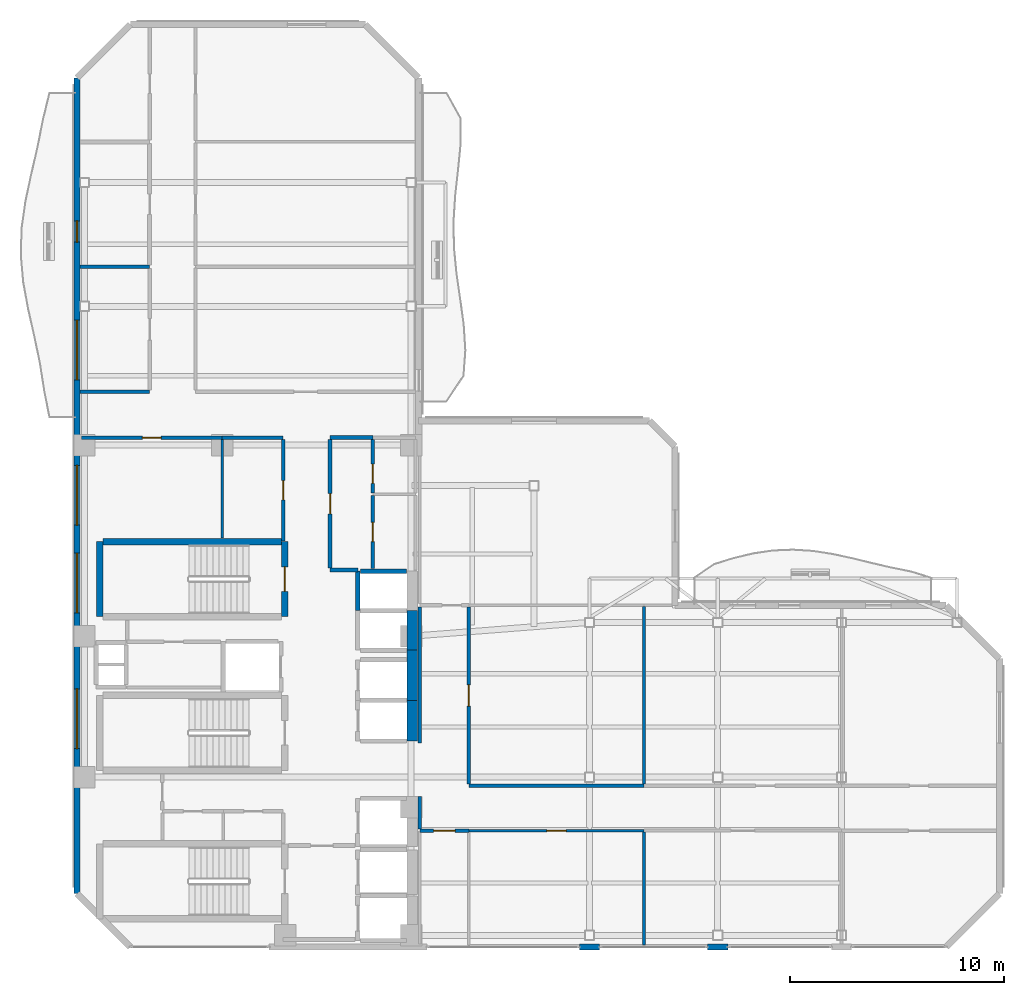
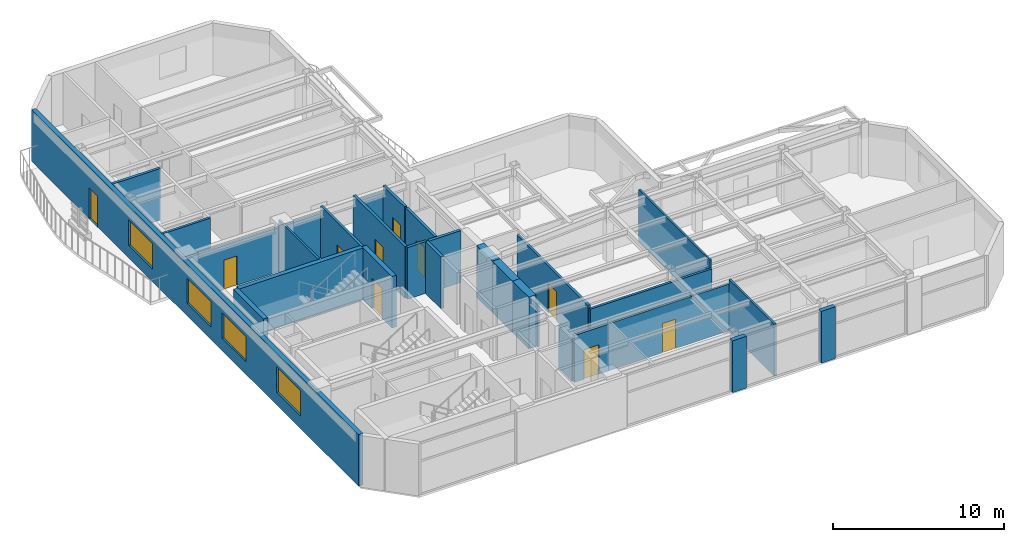
# One storey, part 10 of 17: 30 walls, 10 doors, 4 windows, 14 openings.
"""IFC4 building model written with IfcOpenShell, lengths in metres."""

from ifc_helpers import new_model, si_unit, direction, frame, frame_2d, origin, place, context, subcontext, project, spatial, rectangle, extrude, material, layer, layer_set, type_object, element, fill, save


model = new_model("IFC4")

# Units and contexts
model_context = context("Model", 3, precision=1e-05, world=origin(), true_north=direction((0.0, 1.0)))
body_context = subcontext(model_context, "Body", "Model", "MODEL_VIEW")
ifc_project = project(units=[si_unit("LENGTHUNIT", "METRE"), si_unit("AREAUNIT", "SQUARE_METRE"), si_unit("VOLUMEUNIT", "CUBIC_METRE"), si_unit("PLANEANGLEUNIT", "RADIAN"), si_unit("MASSUNIT", "GRAM", prefix="KILO")], contexts=[model_context])

# Site, building, storey
site_placement = place(None, origin())
site = spatial("IfcSite", under=ifc_project, at=site_placement, CompositionType="ELEMENT")
building_placement = place(site_placement, origin())
building = spatial("IfcBuilding", under=site, at=building_placement, Name="Mawjaban Terraces University", CompositionType="ELEMENT")
storey_placement = place(building_placement, frame((0.0, 0.0, 183.60009765625)))
storey = spatial("IfcBuildingStorey", under=building, at=storey_placement, Name="L44", CompositionType="ELEMENT", Elevation=183.60009765625)

# Walls
ifc_material_1 = material(Name="Acoustic masonry blockwork", Category="masonry")
ifc_layer_1 = layer(ifc_material_1, 0.179931640625)
ifc_layer_set_1 = layer_set([ifc_layer_1], Name="Acoustic masonry blockwork")
wall_type_1 = type_object("IfcWallType", Name="AcousticStudioWall_180", PredefinedType="PARTITIONING", material=ifc_layer_set_1)
wall_1_placement = place(storey_placement, frame((25.39990234375, 31.85009765625, 0.0), z_axis=(0.0, 0.0, 1.0), x_axis=(-1.0, 0.0, 0.0)))
element("IfcWall", 1, at=wall_1_placement, inside=storey, type_object=wall_type_1, Name="L44 Classroom 8 Partition 4", PredefinedType="PARTITIONING", context=body_context, shape_type="SweptSolid", body=[
    extrude(rectangle(XDim=3.2548828125, YDim=0.179931640625, at=frame_2d((1.62744140625, 0.0))), origin(), (0.0, 0.0, 1.0), 3.68994140625),
])
wall_2_placement = place(storey_placement, frame((33.85009765625, 17.64990234375, 0.0), z_axis=(0.0, 0.0, 1.0), x_axis=(1.0, 0.0, 0.0)))
element("IfcWall", 2, at=wall_2_placement, inside=storey, type_object=wall_type_1, Name="L44 Graduate Research Collaboration Studio Partition 11", PredefinedType="PARTITIONING", context=body_context, shape_type="SweptSolid", body=[
    extrude(rectangle(XDim=1.2998046875, YDim=0.179931640625, at=frame_2d((0.64990234375, 0.0))), origin(), (0.0, 0.0, 1.0), 3.68994140625),
])
wall_3_placement = place(storey_placement, frame((35.85009765625, 23.85009765625, 0.0), z_axis=(0.0, 0.0, 1.0), x_axis=(-1.0, 0.0, 0.0)))
element("IfcWall", 3, at=wall_3_placement, inside=storey, type_object=wall_type_1, Name="L44 Graduate Research Collaboration Studio Partition 14", PredefinedType="PARTITIONING", context=body_context, shape_type="SweptSolid", body=[
    extrude(rectangle(XDim=2.0, YDim=0.179931640625, at=frame_2d((1.0, 0.0))), origin(), (0.0, 0.0, 1.0), 3.138916015625),
])

# Wall, opening, door
wall_4_placement = place(storey_placement, frame((33.85009765625, 17.735107421875, 0.0), z_axis=(0.0, 0.0, 1.0), x_axis=(0.0, 1.0, 0.0)))
wall_4 = element("IfcWall", 4, at=wall_4_placement, inside=storey, type_object=wall_type_1, Name="L44 Core North Lift Lobby Partition 42", PredefinedType="PARTITIONING", context=body_context, shape_type="SweptSolid", body=[
    extrude(rectangle(XDim=6.02978515625, YDim=0.179931640625, at=frame_2d((3.014892578125, 0.0))), origin(), (0.0, 0.0, 1.0), 3.68994140625),
])
opening_1_placement = place(wall_4_placement, frame((2.5400390625, 0.0, 0.0)))
opening_1 = element("IfcOpeningElement", 5, at=opening_1_placement, cuts=wall_4, Name="Opening ID-095", PredefinedType="OPENING", context=body_context, shape_type="SweptSolid", body=[
    extrude(rectangle(XDim=0.949951171875, YDim=2.10009765625, at=frame_2d((0.47509765625, 1.050048828125))), frame((0.0, 0.099853515625, 0.0), z_axis=(0.0, -1.0, 0.0), x_axis=(1.0, 0.0, 0.0)), (0.0, 0.0, 1.0), 0.199951171875),
])
ifc_material_2 = material(Name="Powder-coated steel frame and solid acoustic timber leaf", Category="steel")
door_type_1 = type_object("IfcDoorType", Name="StudioDoor_950x2100", OperationType="NOTDEFINED", PredefinedType="DOOR", material=ifc_material_2)
door_1_placement = place(opening_1_placement, origin())
door_1 = element("IfcDoor", 6, at=door_1_placement, inside=storey, type_object=door_type_1, Name="L44 Graduate Research Collaboration Studio Door", OperationType="SINGLE_SWING_LEFT", OverallHeight=2.10009765625, OverallWidth=0.949951171875, PredefinedType="DOOR", context=body_context, shape_type="SweptSolid", body=[
    extrude(rectangle(XDim=0.949951171875, YDim=2.10009765625, at=frame_2d((0.47509765625, 1.050048828125))), frame((0.0, 0.02490234375, 0.0), z_axis=(0.0, -1.0, 0.0), x_axis=(1.0, 0.0, 0.0)), (0.0, 0.0, 1.0), 0.050048828125),
])
fill(opening_1, door_1)

wall_5_placement = place(storey_placement, frame((35.85009765625, 17.72998046875, 0.0), z_axis=(0.0, 0.0, 1.0), x_axis=(0.0, 1.0, 0.0)))
wall_5 = element("IfcWall", 7, at=wall_5_placement, inside=storey, type_object=wall_type_1, Name="L44 Graduate Research Collaboration Studio Partition 43", PredefinedType="PARTITIONING", context=body_context, shape_type="SweptSolid", body=[
    extrude(rectangle(XDim=3.412109375, YDim=0.179931640625, at=frame_2d((1.7060546875, 0.0))), origin(), (0.0, 0.0, 1.0), 3.68994140625),
])
opening_2_placement = place(wall_5_placement, frame((1.256103515625, 0.0, 0.0)))
opening_2 = element("IfcOpeningElement", 8, at=opening_2_placement, cuts=wall_5, Name="Opening ID-090", PredefinedType="OPENING", context=body_context, shape_type="SweptSolid", body=[
    extrude(rectangle(XDim=0.89990234375, YDim=2.10009765625, at=frame_2d((0.449951171875, 1.050048828125))), frame((0.0, 0.099853515625, 0.0), z_axis=(0.0, -1.0, 0.0), x_axis=(1.0, 0.0, 0.0)), (0.0, 0.0, 1.0), 0.199951171875),
])
door_type_2 = type_object("IfcDoorType", Name="OfficeDoor_900x2100", OperationType="NOTDEFINED", PredefinedType="DOOR", material=ifc_material_2)
door_2_placement = place(opening_2_placement, origin())
door_2 = element("IfcDoor", 9, at=door_2_placement, inside=storey, type_object=door_type_2, Name="L44 Research Instrument Store Door", OperationType="SINGLE_SWING_LEFT", OverallHeight=2.10009765625, OverallWidth=0.89990234375, PredefinedType="DOOR", context=body_context, shape_type="SweptSolid", body=[
    extrude(rectangle(XDim=0.89990234375, YDim=2.10009765625, at=frame_2d((0.449951171875, 1.050048828125))), frame((0.0, 0.02490234375, 0.0), z_axis=(0.0, -1.0, 0.0), x_axis=(1.0, 0.0, 0.0)), (0.0, 0.0, 1.0), 0.050048828125),
])
fill(opening_2, door_2)

wall_6_placement = place(storey_placement, frame((35.85009765625, 21.258056640625, 0.0), z_axis=(0.0, 0.0, 1.0), x_axis=(0.0, 1.0, 0.0)))
wall_6 = element("IfcWall", 10, at=wall_6_placement, inside=storey, type_object=wall_type_1, Name="L44 Graduate Research Collaboration Studio Partition 44", PredefinedType="PARTITIONING", context=body_context, shape_type="SweptSolid", body=[
    extrude(rectangle(XDim=2.5068359375, YDim=0.179931640625, at=frame_2d((1.25341796875, 0.0))), origin(), (0.0, 0.0, 1.0), 3.68994140625),
])
opening_3_placement = place(wall_6_placement, frame((0.4541015625, 0.0, 0.0)))
opening_3 = element("IfcOpeningElement", 11, at=opening_3_placement, cuts=wall_6, Name="Opening ID-090", PredefinedType="OPENING", context=body_context, shape_type="SweptSolid", body=[
    extrude(rectangle(XDim=0.89990234375, YDim=2.10009765625, at=frame_2d((0.449951171875, 1.050048828125))), frame((0.0, 0.099853515625, 0.0), z_axis=(0.0, -1.0, 0.0), x_axis=(1.0, 0.0, 0.0)), (0.0, 0.0, 1.0), 0.199951171875),
])
door_3_placement = place(opening_3_placement, origin())
door_3 = element("IfcDoor", 12, at=door_3_placement, inside=storey, type_object=door_type_2, Name="L44 Graduate Quiet Study Alcove Door", OperationType="SINGLE_SWING_RIGHT", OverallHeight=2.10009765625, OverallWidth=0.89990234375, PredefinedType="DOOR", context=body_context, shape_type="SweptSolid", body=[
    extrude(rectangle(XDim=0.89990234375, YDim=2.10009765625, at=frame_2d((0.449951171875, 1.050048828125))), frame((0.0, 0.02490234375, 0.0), z_axis=(0.0, -1.0, 0.0), x_axis=(1.0, 0.0, 0.0)), (0.0, 0.0, 1.0), 0.050048828125),
])
fill(opening_3, door_3)

# Walls
ifc_material_3 = material(Name="Concrete C60/75", Category="concrete")
ifc_layer_2 = layer(ifc_material_3, 0.5)
ifc_layer_set_2 = layer_set([ifc_layer_2], Name="Concrete C60/75")
wall_type_2 = type_object("IfcWallType", Name="CoreShearWall_500", PredefinedType="SHEAR", material=ifc_layer_set_2)
wall_7_placement = place(storey_placement, frame((37.699951171875, 9.64990234375, 0.0), z_axis=(0.0, 0.0, 1.0), x_axis=(0.0, 1.0, 0.0)))
element("IfcWall", 13, at=wall_7_placement, inside=storey, type_object=wall_type_2, Name="L44 Lift PL-H1 Hoistway Wall East", PredefinedType="SHEAR", context=body_context, shape_type="SweptSolid", body=[
    extrude(rectangle(XDim=1.900146484375, YDim=0.5, at=frame_2d((0.9501953125, 0.0))), origin(), (0.0, 0.0, 1.0), 3.68994140625),
])
wall_8_placement = place(storey_placement, frame((37.699951171875, 11.550048828125, 0.0), z_axis=(0.0, 0.0, 1.0), x_axis=(0.0, 1.0, 0.0)))
element("IfcWall", 14, at=wall_8_placement, inside=storey, type_object=wall_type_2, Name="L44 Lift PL-H2 Hoistway Wall East", PredefinedType="SHEAR", context=body_context, shape_type="SweptSolid", body=[
    extrude(rectangle(XDim=2.349853515625, YDim=0.5, at=frame_2d((1.1748046875, 0.0))), origin(), (0.0, 0.0, 1.0), 3.68994140625),
])
wall_9_placement = place(storey_placement, frame((37.699951171875, 13.89990234375, 0.0), z_axis=(0.0, 0.0, 1.0), x_axis=(0.0, 1.0, 0.0)))
element("IfcWall", 15, at=wall_9_placement, inside=storey, type_object=wall_type_2, Name="L44 Lift OL-1 Hoistway Wall East", PredefinedType="SHEAR", context=body_context, shape_type="SweptSolid", body=[
    extrude(rectangle(XDim=1.85009765625, YDim=0.5, at=frame_2d((0.925048828125, 0.0))), origin(), (0.0, 0.0, 1.0), 3.68994140625),
])
ifc_material_4 = material(Name="Fire-rated gypsum board on steel stud", Category="steel")
ifc_layer_3 = layer(ifc_material_4, 0.159912109375)
ifc_layer_set_3 = layer_set([ifc_layer_3], Name="Fire-rated gypsum board on steel stud")
wall_type_3 = type_object("IfcWallType", Name="CorridorPartition_160", PredefinedType="PARTITIONING", material=ifc_layer_set_3)
wall_10_placement = place(storey_placement, frame((25.39990234375, 26.0, 0.0), z_axis=(0.0, 0.0, 1.0), x_axis=(-1.0, 0.0, 0.0)))
element("IfcWall", 16, at=wall_10_placement, inside=storey, type_object=wall_type_3, Name="L44 North Core Cross-Corridor Partition 3", PredefinedType="PARTITIONING", context=body_context, shape_type="SweptSolid", body=[
    extrude(rectangle(XDim=3.2548828125, YDim=0.159912109375, at=frame_2d((1.62744140625, 0.0))), origin(), (0.0, 0.0, 1.0), 3.68994140625),
])

# Wall, opening, door
wall_11_placement = place(storey_placement, frame((28.800048828125, 23.85009765625, 0.0), z_axis=(0.0, 0.0, 1.0), x_axis=(-1.0, 0.0, 0.0)))
wall_11 = element("IfcWall", 17, at=wall_11_placement, inside=storey, type_object=wall_type_3, Name="L44 Female Toilet Partition 7", PredefinedType="PARTITIONING", context=body_context, shape_type="SweptSolid", body=[
    extrude(rectangle(XDim=6.60009765625, YDim=0.159912109375, at=frame_2d((3.300048828125, 0.0))), origin(), (0.0, 0.0, 1.0), 3.138916015625),
])
opening_4_placement = place(wall_11_placement, frame((2.860107421875, 0.0, 0.0)))
opening_4 = element("IfcOpeningElement", 18, at=opening_4_placement, cuts=wall_11, Name="Opening ID-088", PredefinedType="OPENING", context=body_context, shape_type="SweptSolid", body=[
    extrude(rectangle(XDim=0.8798828125, YDim=2.10009765625, at=frame_2d((0.43994140625, 1.050048828125))), frame((0.0, 0.08984375, 0.0), z_axis=(0.0, -1.0, 0.0), x_axis=(1.0, 0.0, 0.0)), (0.0, 0.0, 1.0), 0.179931640625),
])
door_type_3 = type_object("IfcDoorType", Name="ToiletDoor_880x2100", OperationType="NOTDEFINED", PredefinedType="DOOR", material=ifc_material_2)
door_4_placement = place(opening_4_placement, origin())
door_4 = element("IfcDoor", 19, at=door_4_placement, inside=storey, type_object=door_type_3, Name="L44 Female Toilet Door", OperationType="SINGLE_SWING_LEFT", OverallHeight=2.10009765625, OverallWidth=0.8798828125, PredefinedType="DOOR", context=body_context, shape_type="SweptSolid", body=[
    extrude(rectangle(XDim=0.8798828125, YDim=2.10009765625, at=frame_2d((0.43994140625, 1.050048828125))), frame((0.0, 0.02490234375, 0.0), z_axis=(0.0, -1.0, 0.0), x_axis=(1.0, 0.0, 0.0)), (0.0, 0.0, 1.0), 0.050048828125),
])
fill(opening_4, door_4)

# Wall
wall_12_placement = place(storey_placement, frame((31.64990234375, 23.85009765625, 0.0), z_axis=(0.0, 0.0, 1.0), x_axis=(-1.0, 0.0, 0.0)))
element("IfcWall", 20, at=wall_12_placement, inside=storey, type_object=wall_type_3, Name="L44 Faculty Academic Resource Office Partition 10", PredefinedType="PARTITIONING", context=body_context, shape_type="SweptSolid", body=[
    extrude(rectangle(XDim=2.849853515625, YDim=0.159912109375, at=frame_2d((1.4248046875, 0.0))), origin(), (0.0, 0.0, 1.0), 3.138916015625),
])

# Wall, opening, door
wall_13_placement = place(storey_placement, frame((38.050048828125, 5.449951171875, 0.0), z_axis=(0.0, 0.0, 1.0), x_axis=(1.0, 0.0, 0.0)))
wall_13 = element("IfcWall", 21, at=wall_13_placement, inside=storey, type_object=wall_type_3, Name="L44 South Spine Spur Link Partition 19", PredefinedType="PARTITIONING", context=body_context, shape_type="SweptSolid", body=[
    extrude(rectangle(XDim=2.300048828125, YDim=0.159912109375, at=frame_2d((1.14990234375, 0.0))), origin(), (0.0, 0.0, 1.0), 3.343017578125),
])
opening_5_placement = place(wall_13_placement, frame((0.64990234375, 0.0, 0.0)))
opening_5 = element("IfcOpeningElement", 22, at=opening_5_placement, cuts=wall_13, Name="Opening ID-100", PredefinedType="OPENING", context=body_context, shape_type="SweptSolid", body=[
    extrude(rectangle(XDim=1.0, YDim=2.10009765625, at=frame_2d((0.5, 1.050048828125))), frame((0.0, 0.08984375, 0.0), z_axis=(0.0, -1.0, 0.0), x_axis=(1.0, 0.0, 0.0)), (0.0, 0.0, 1.0), 0.179931640625),
])
door_type_4 = type_object("IfcDoorType", Name="ClassroomDoor_1000x2100", OperationType="NOTDEFINED", PredefinedType="DOOR", material=ifc_material_2)
door_5_placement = place(opening_5_placement, origin())
door_5 = element("IfcDoor", 23, at=door_5_placement, inside=storey, type_object=door_type_4, Name="L44 Classroom 1 Door", OperationType="SINGLE_SWING_RIGHT", OverallHeight=2.10009765625, OverallWidth=1.0, PredefinedType="DOOR", context=body_context, shape_type="SweptSolid", body=[
    extrude(rectangle(XDim=1.0, YDim=2.10009765625, at=frame_2d((0.5, 1.050048828125))), frame((0.0, 0.02490234375, 0.0), z_axis=(0.0, -1.0, 0.0), x_axis=(1.0, 0.0, 0.0)), (0.0, 0.0, 1.0), 0.050048828125),
])
fill(opening_5, door_5)

# Wall
wall_14_placement = place(storey_placement, frame((48.550048828125, 7.550048828125, 0.0), z_axis=(0.0, 0.0, 1.0), x_axis=(-1.0, 0.0, 0.0)))
element("IfcWall", 24, at=wall_14_placement, inside=storey, type_object=wall_type_3, Name="L44 South Shifted Academic Corridor Partition 23", PredefinedType="PARTITIONING", context=body_context, shape_type="SweptSolid", body=[
    extrude(rectangle(XDim=8.199951171875, YDim=0.159912109375, at=frame_2d((4.10009765625, 0.0))), origin(), (0.0, 0.0, 1.0), 3.138916015625),
])

# Wall, opening, door
wall_15_placement = place(storey_placement, frame((31.64990234375, 19.010009765625, 0.0), z_axis=(0.0, 0.0, 1.0), x_axis=(0.0, 1.0, 0.0)))
wall_15 = element("IfcWall", 25, at=wall_15_placement, inside=storey, type_object=wall_type_3, Name="L44 Faculty Academic Resource Office Partition 41", PredefinedType="PARTITIONING", context=body_context, shape_type="SweptSolid", body=[
    extrude(rectangle(XDim=4.764892578125, YDim=0.159912109375, at=frame_2d((2.38232421875, 0.0))), origin(), (0.0, 0.0, 1.0), 3.68994140625),
])
opening_6_placement = place(wall_15_placement, frame((1.931884765625, 0.0, 0.0)))
opening_6 = element("IfcOpeningElement", 26, at=opening_6_placement, cuts=wall_15, Name="Opening ID-090", PredefinedType="OPENING", context=body_context, shape_type="SweptSolid", body=[
    extrude(rectangle(XDim=0.89990234375, YDim=2.10009765625, at=frame_2d((0.449951171875, 1.050048828125))), frame((0.0, 0.08984375, 0.0), z_axis=(0.0, -1.0, 0.0), x_axis=(1.0, 0.0, 0.0)), (0.0, 0.0, 1.0), 0.179931640625),
])
door_6_placement = place(opening_6_placement, origin())
door_6 = element("IfcDoor", 27, at=door_6_placement, inside=storey, type_object=door_type_2, Name="L44 Faculty Academic Resource Office Door", OperationType="SINGLE_SWING_RIGHT", OverallHeight=2.10009765625, OverallWidth=0.89990234375, PredefinedType="DOOR", context=body_context, shape_type="SweptSolid", body=[
    extrude(rectangle(XDim=0.89990234375, YDim=2.10009765625, at=frame_2d((0.449951171875, 1.050048828125))), frame((0.0, 0.02490234375, 0.0), z_axis=(0.0, -1.0, 0.0), x_axis=(1.0, 0.0, 0.0)), (0.0, 0.0, 1.0), 0.050048828125),
])
fill(opening_6, door_6)

# Walls
wall_16_placement = place(storey_placement, frame((38.050048828125, 7.050048828125, 0.0), z_axis=(0.0, 0.0, 1.0), x_axis=(0.0, -1.0, 0.0)))
element("IfcWall", 28, at=wall_16_placement, inside=storey, type_object=wall_type_3, Name="L44 South Spine Spur Link Partition 48", PredefinedType="PARTITIONING", context=body_context, shape_type="SweptSolid", body=[
    extrude(rectangle(XDim=1.525146484375, YDim=0.159912109375, at=frame_2d((0.7626953125, 0.0))), origin(), (0.0, 0.0, 1.0), 3.138916015625),
])
wall_17_placement = place(storey_placement, frame((38.050048828125, 15.925048828125, 0.0), z_axis=(0.0, 0.0, 1.0), x_axis=(0.0, -1.0, 0.0)))
element("IfcWall", 29, at=wall_17_placement, inside=storey, type_object=wall_type_3, Name="L44 South Spine Spur Link Partition 49", PredefinedType="PARTITIONING", context=body_context, shape_type="SweptSolid", body=[
    extrude(rectangle(XDim=6.375, YDim=0.159912109375, at=frame_2d((3.1875, 0.0))), origin(), (0.0, 0.0, 1.0), 3.138916015625),
])

# Wall, opening, door
wall_18_placement = place(storey_placement, frame((40.35009765625, 7.625, 0.0), z_axis=(0.0, 0.0, 1.0), x_axis=(0.0, 1.0, 0.0)))
wall_18 = element("IfcWall", 30, at=wall_18_placement, inside=storey, type_object=wall_type_3, Name="L44 South Spine Spur Link Partition 52", PredefinedType="PARTITIONING", context=body_context, shape_type="SweptSolid", body=[
    extrude(rectangle(XDim=8.300048828125, YDim=0.159912109375, at=frame_2d((4.14990234375, 0.0))), origin(), (0.0, 0.0, 1.0), 3.343017578125),
])
opening_7_placement = place(wall_18_placement, frame((3.64990234375, 0.0, 0.0)))
opening_7 = element("IfcOpeningElement", 31, at=opening_7_placement, cuts=wall_18, Name="Opening ID-100", PredefinedType="OPENING", context=body_context, shape_type="SweptSolid", body=[
    extrude(rectangle(XDim=1.0, YDim=2.10009765625, at=frame_2d((0.5, 1.050048828125))), frame((0.0, 0.08984375, 0.0), z_axis=(0.0, -1.0, 0.0), x_axis=(1.0, 0.0, 0.0)), (0.0, 0.0, 1.0), 0.179931640625),
])
door_7_placement = place(opening_7_placement, origin())
door_7 = element("IfcDoor", 32, at=door_7_placement, inside=storey, type_object=door_type_4, Name="L44 Classroom 3 Door", OperationType="SINGLE_SWING_RIGHT", OverallHeight=2.10009765625, OverallWidth=1.0, PredefinedType="DOOR", context=body_context, shape_type="SweptSolid", body=[
    extrude(rectangle(XDim=1.0, YDim=2.10009765625, at=frame_2d((0.5, 1.050048828125))), frame((0.0, 0.02490234375, 0.0), z_axis=(0.0, -1.0, 0.0), x_axis=(1.0, 0.0, 0.0)), (0.0, 0.0, 1.0), 0.050048828125),
])
fill(opening_7, door_7)

# Walls
ifc_material_5 = material(Name="Insulated terracotta rainscreen on concrete backup C40/50", Category="masonry")
ifc_layer_4 = layer(ifc_material_5, 0.300048828125)
ifc_layer_set_4 = layer_set([ifc_layer_4], Name="Insulated terracotta rainscreen on concrete backup C40/50")
wall_type_4 = type_object("IfcWallType", Name="ExtTerracottaWall_300", PredefinedType="SOLIDWALL", material=ifc_layer_set_4)
for number, where, z_axis, x_axis, name in (
    (33, (45.52490234375, 0.0, 0.0), (0.0, 0.0, 1.0), (1.0, 0.0, 0.0), "L44 Exterior Terracotta Pier Wall 1.2"),
    (34, (51.52490234375, 0.0, 0.0), (0.0, 0.0, 1.0), (1.0, 0.0, 0.0), "L44 Exterior Terracotta Pier Wall 1.3"),
):
    element("IfcWall", number, at=place(storey_placement, frame(where, z_axis=z_axis, x_axis=x_axis)), inside=storey, type_object=wall_type_4, Name=name, PredefinedType="SOLIDWALL", context=body_context, shape_type="SweptSolid", body=[
        extrude(rectangle(XDim=0.9501953125, YDim=0.300048828125, at=frame_2d((0.47509765625, 0.0))), origin(), (0.0, 0.0, 1.0), 3.68994140625),
    ])

# Wall, openings, door, windows
wall_19_placement = place(storey_placement, frame((22.0, 40.699951171875, 0.0), z_axis=(0.0, 0.0, 1.0), x_axis=(0.0, -1.0, 0.0)))
wall_19 = element("IfcWall", 35, at=wall_19_placement, inside=storey, type_object=wall_type_4, Name="L44 Exterior Terracotta Wall 13", PredefinedType="SOLIDWALL", context=body_context, shape_type="SweptSolid", body=[
    extrude(rectangle(XDim=38.199951171875, YDim=0.300048828125, at=frame_2d((19.10009765625, 0.0))), origin(), (0.0, 0.0, 1.0), 3.68994140625),
])
opening_8_placement = place(wall_19_placement, frame((6.699951171875, 0.0, 0.0)))
opening_8 = element("IfcOpeningElement", 36, at=opening_8_placement, cuts=wall_19, Name="Opening BD-100", PredefinedType="OPENING", context=body_context, shape_type="SweptSolid", body=[
    extrude(rectangle(XDim=1.0, YDim=2.199951171875, at=frame_2d((0.5, 1.10009765625))), frame((0.0, 0.159912109375, 0.0), z_axis=(0.0, -1.0, 0.0), x_axis=(1.0, 0.0, 0.0)), (0.0, 0.0, 1.0), 0.320068359375),
])
opening_9_placement = place(wall_19_placement, frame((11.343017578125, 0.0, 0.89990234375)))
opening_9 = element("IfcOpeningElement", 37, at=opening_9_placement, cuts=wall_19, Name="Opening W-09", PredefinedType="OPENING", context=body_context, shape_type="SweptSolid", body=[
    extrude(rectangle(XDim=2.800048828125, YDim=1.800048828125, at=frame_2d((1.39990234375, 0.89990234375))), frame((0.0, 0.159912109375, 0.0), z_axis=(0.0, -1.0, 0.0), x_axis=(1.0, 0.0, 0.0)), (0.0, 0.0, 1.0), 0.320068359375),
])
opening_10_placement = place(wall_19_placement, frame((18.14990234375, 0.0, 0.89990234375)))
opening_10 = element("IfcOpeningElement", 38, at=opening_10_placement, cuts=wall_19, Name="Opening W-09", PredefinedType="OPENING", context=body_context, shape_type="SweptSolid", body=[
    extrude(rectangle(XDim=2.800048828125, YDim=1.800048828125, at=frame_2d((1.39990234375, 0.89990234375))), frame((0.0, 0.159912109375, 0.0), z_axis=(0.0, -1.0, 0.0), x_axis=(1.0, 0.0, 0.0)), (0.0, 0.0, 1.0), 0.320068359375),
])
opening_11_placement = place(wall_19_placement, frame((22.257080078125, 0.0, 0.89990234375)))
opening_11 = element("IfcOpeningElement", 39, at=opening_11_placement, cuts=wall_19, Name="Opening W-09", PredefinedType="OPENING", context=body_context, shape_type="SweptSolid", body=[
    extrude(rectangle(XDim=2.800048828125, YDim=1.800048828125, at=frame_2d((1.39990234375, 0.89990234375))), frame((0.0, 0.159912109375, 0.0), z_axis=(0.0, -1.0, 0.0), x_axis=(1.0, 0.0, 0.0)), (0.0, 0.0, 1.0), 0.320068359375),
])
opening_12_placement = place(wall_19_placement, frame((28.614013671875, 0.0, 0.89990234375)))
opening_12 = element("IfcOpeningElement", 40, at=opening_12_placement, cuts=wall_19, Name="Opening W-09", PredefinedType="OPENING", context=body_context, shape_type="SweptSolid", body=[
    extrude(rectangle(XDim=2.800048828125, YDim=1.800048828125, at=frame_2d((1.39990234375, 0.89990234375))), frame((0.0, 0.159912109375, 0.0), z_axis=(0.0, -1.0, 0.0), x_axis=(1.0, 0.0, 0.0)), (0.0, 0.0, 1.0), 0.320068359375),
])
ifc_material_6 = material(Name="Thermally broken anodised aluminium and laminated safety glass", Category="aluminium")
door_type_5 = type_object("IfcDoorType", Name="BalconyGlazedDoor_1000x2200", OperationType="NOTDEFINED", PredefinedType="DOOR", material=ifc_material_6)
door_8_placement = place(opening_8_placement, origin())
door_8 = element("IfcDoor", 41, at=door_8_placement, inside=storey, type_object=door_type_5, Name="L44 Balcony Access Door west", OperationType="SINGLE_SWING_LEFT", OverallHeight=2.199951171875, OverallWidth=1.0, PredefinedType="DOOR", context=body_context, shape_type="SweptSolid", body=[
    extrude(rectangle(XDim=1.0, YDim=2.199951171875, at=frame_2d((0.5, 1.10009765625))), frame((0.0, 0.02490234375, 0.0), z_axis=(0.0, -1.0, 0.0), x_axis=(1.0, 0.0, 0.0)), (0.0, 0.0, 1.0), 0.050048828125),
])
fill(opening_8, door_8)
ifc_material_7 = material(Name="Low-E solar-control double glazing in thermally broken aluminium frame", Category="aluminium")
window_type = type_object("IfcWindowType", Name="Win_2800x1800", PartitioningType="SINGLE_PANEL", PredefinedType="WINDOW", material=ifc_material_7)
window_1_placement = place(opening_9_placement, origin())
window_1 = element("IfcWindow", 42, at=window_1_placement, inside=storey, type_object=window_type, Name="L44 Facade Window 13.3", OverallHeight=1.800048828125, OverallWidth=2.800048828125, PartitioningType="SINGLE_PANEL", PredefinedType="WINDOW", context=body_context, shape_type="SweptSolid", body=[
    extrude(rectangle(XDim=2.800048828125, YDim=1.800048828125, at=frame_2d((1.39990234375, 0.89990234375))), frame((0.0, 0.030029296875, 0.0), z_axis=(0.0, -1.0, 0.0), x_axis=(1.0, 0.0, 0.0)), (0.0, 0.0, 1.0), 0.06005859375),
])
fill(opening_9, window_1)
window_2_placement = place(opening_10_placement, origin())
window_2 = element("IfcWindow", 43, at=window_2_placement, inside=storey, type_object=window_type, Name="L44 Facade Window 13.4", OverallHeight=1.800048828125, OverallWidth=2.800048828125, PartitioningType="SINGLE_PANEL", PredefinedType="WINDOW", context=body_context, shape_type="SweptSolid", body=[
    extrude(rectangle(XDim=2.800048828125, YDim=1.800048828125, at=frame_2d((1.39990234375, 0.89990234375))), frame((0.0, 0.030029296875, 0.0), z_axis=(0.0, -1.0, 0.0), x_axis=(1.0, 0.0, 0.0)), (0.0, 0.0, 1.0), 0.06005859375),
])
fill(opening_10, window_2)
window_3_placement = place(opening_11_placement, origin())
window_3 = element("IfcWindow", 44, at=window_3_placement, inside=storey, type_object=window_type, Name="L44 Facade Window 13.5", OverallHeight=1.800048828125, OverallWidth=2.800048828125, PartitioningType="SINGLE_PANEL", PredefinedType="WINDOW", context=body_context, shape_type="SweptSolid", body=[
    extrude(rectangle(XDim=2.800048828125, YDim=1.800048828125, at=frame_2d((1.39990234375, 0.89990234375))), frame((0.0, 0.030029296875, 0.0), z_axis=(0.0, -1.0, 0.0), x_axis=(1.0, 0.0, 0.0)), (0.0, 0.0, 1.0), 0.06005859375),
])
fill(opening_11, window_3)
window_4_placement = place(opening_12_placement, origin())
window_4 = element("IfcWindow", 45, at=window_4_placement, inside=storey, type_object=window_type, Name="L44 Facade Window 13.6", OverallHeight=1.800048828125, OverallWidth=2.800048828125, PartitioningType="SINGLE_PANEL", PredefinedType="WINDOW", context=body_context, shape_type="SweptSolid", body=[
    extrude(rectangle(XDim=2.800048828125, YDim=1.800048828125, at=frame_2d((1.39990234375, 0.89990234375))), frame((0.0, 0.030029296875, 0.0), z_axis=(0.0, -1.0, 0.0), x_axis=(1.0, 0.0, 0.0)), (0.0, 0.0, 1.0), 0.06005859375),
])
fill(opening_12, window_4)

# Walls
ifc_material_8 = material(Name="Concrete C40/50", Category="concrete")
ifc_layer_5 = layer(ifc_material_8, 0.199951171875)
ifc_layer_set_5 = layer_set([ifc_layer_5], Name="Concrete C40/50")
wall_type_5 = type_object("IfcWallType", Name="FireLobbyWall_200", PredefinedType="SOLIDWALL", material=ifc_layer_set_5)
wall_20_placement = place(storey_placement, frame((35.14990234375, 17.60009765625, 0.0), z_axis=(0.0, 0.0, 1.0), x_axis=(0.0, -1.0, 0.0)))
element("IfcWall", 46, at=wall_20_placement, inside=storey, type_object=wall_type_5, Name="L44 Lift OL-2 Hoistway Wall West", PredefinedType="SOLIDWALL", context=body_context, shape_type="SweptSolid", body=[
    extrude(rectangle(XDim=1.85009765625, YDim=0.199951171875, at=frame_2d((0.925048828125, 0.0))), origin(), (0.0, 0.0, 1.0), 3.68994140625),
])
wall_21_placement = place(storey_placement, frame((37.419921875, 17.60009765625, 0.0), z_axis=(0.0, 0.0, 1.0), x_axis=(-1.0, 0.0, 0.0)))
element("IfcWall", 47, at=wall_21_placement, inside=storey, type_object=wall_type_5, Name="L44 Lift OL-2 Hoistway Wall North", PredefinedType="SOLIDWALL", context=body_context, shape_type="SweptSolid", body=[
    extrude(rectangle(XDim=2.139892578125, YDim=0.199951171875, at=frame_2d((1.06982421875, 0.0))), origin(), (0.0, 0.0, 1.0), 3.68994140625),
])
ifc_material_9 = material(Name="Moisture-resistant gypsum board on steel stud", Category="steel")
ifc_layer_6 = layer(ifc_material_9, 0.14501953125)
ifc_layer_set_6 = layer_set([ifc_layer_6], Name="Moisture-resistant gypsum board on steel stud")
wall_type_6 = type_object("IfcWallType", Name="LabPartition_145", PredefinedType="PARTITIONING", material=ifc_layer_set_6)
wall_22_placement = place(storey_placement, frame((48.550048828125, 0.090087890625, 0.0), z_axis=(0.0, 0.0, 1.0), x_axis=(0.0, 1.0, 0.0)))
element("IfcWall", 48, at=wall_22_placement, inside=storey, type_object=wall_type_6, Name="L44 Seminar Room 2 Partition 53", PredefinedType="PARTITIONING", context=body_context, shape_type="SweptSolid", body=[
    extrude(rectangle(XDim=5.29296875, YDim=0.14501953125, at=frame_2d((2.646484375, 0.0))), origin(), (0.0, 0.0, 1.0), 3.68994140625),
])
ifc_material_10 = material(Name="Gypsum plasterboard on steel stud", Category="steel")
ifc_layer_7 = layer(ifc_material_10, 0.125)
ifc_layer_set_7 = layer_set([ifc_layer_7], Name="Gypsum plasterboard on steel stud")
wall_type_7 = type_object("IfcWallType", Name="OfficePartition_125", PredefinedType="PARTITIONING", material=ifc_layer_set_7)
wall_23_placement = place(storey_placement, frame((48.550048828125, 7.625, 0.0), z_axis=(0.0, 0.0, 1.0), x_axis=(0.0, 1.0, 0.0)))
element("IfcWall", 49, at=wall_23_placement, inside=storey, type_object=wall_type_7, Name="L44 Classroom 3 Partition 54", PredefinedType="PARTITIONING", context=body_context, shape_type="SweptSolid", body=[
    extrude(rectangle(XDim=8.318115234375, YDim=0.125, at=frame_2d((4.1591796875, 0.0))), origin(), (0.0, 0.0, 1.0), 3.68994140625),
])

# Wall, opening, door
ifc_material_11 = material(Name="Acoustic operable panel partition", Category="masonry")
ifc_layer_8 = layer(ifc_material_11, 0.110107421875)
ifc_layer_set_8 = layer_set([ifc_layer_8], Name="Acoustic operable panel partition")
wall_type_8 = type_object("IfcWallType", Name="OperableSeminarWall_110", PredefinedType="MOVABLE", material=ifc_layer_set_8)
wall_24_placement = place(storey_placement, frame((40.35009765625, 5.449951171875, 0.0), z_axis=(0.0, 0.0, 1.0), x_axis=(1.0, 0.0, 0.0)))
wall_24 = element("IfcWall", 50, at=wall_24_placement, inside=storey, type_object=wall_type_8, Name="L44 South Shifted Academic Corridor Partition 20", PredefinedType="MOVABLE", context=body_context, shape_type="SweptSolid", body=[
    extrude(rectangle(XDim=8.199951171875, YDim=0.110107421875, at=frame_2d((4.10009765625, 0.0))), origin(), (0.0, 0.0, 1.0), 3.343017578125),
])
opening_13_placement = place(wall_24_placement, frame((3.64990234375, 0.0, 0.0)))
opening_13 = element("IfcOpeningElement", 51, at=opening_13_placement, cuts=wall_24, Name="Opening ID-090", PredefinedType="OPENING", context=body_context, shape_type="SweptSolid", body=[
    extrude(rectangle(XDim=0.89990234375, YDim=2.10009765625, at=frame_2d((0.449951171875, 1.050048828125))), frame((0.0, 0.06494140625, 0.0), z_axis=(0.0, -1.0, 0.0), x_axis=(1.0, 0.0, 0.0)), (0.0, 0.0, 1.0), 0.130126953125),
])
door_9_placement = place(opening_13_placement, origin())
door_9 = element("IfcDoor", 52, at=door_9_placement, inside=storey, type_object=door_type_2, Name="L44 Seminar Room 2 Door", OperationType="SINGLE_SWING_LEFT", OverallHeight=2.10009765625, OverallWidth=0.89990234375, PredefinedType="DOOR", context=body_context, shape_type="SweptSolid", body=[
    extrude(rectangle(XDim=0.89990234375, YDim=2.10009765625, at=frame_2d((0.449951171875, 1.050048828125))), frame((0.0, 0.02490234375, 0.0), z_axis=(0.0, -1.0, 0.0), x_axis=(1.0, 0.0, 0.0)), (0.0, 0.0, 1.0), 0.050048828125),
])
fill(opening_13, door_9)

# Walls
ifc_layer_9 = layer(ifc_material_3, 0.300048828125)
ifc_layer_set_9 = layer_set([ifc_layer_9], Name="Concrete C60/75")
wall_type_9 = type_object("IfcWallType", Name="StairShaftWall_300", PredefinedType="SHEAR", material=ifc_layer_set_9)
wall_25_placement = place(storey_placement, frame((31.580078125, 18.97998046875, 0.0), z_axis=(0.0, 0.0, 1.0), x_axis=(-1.0, 0.0, 0.0)))
element("IfcWall", 53, at=wall_25_placement, inside=storey, type_object=wall_type_9, Name="L44 ST-2 Stair Shaft Wall 1", PredefinedType="SHEAR", context=body_context, shape_type="SweptSolid", body=[
    extrude(rectangle(XDim=8.360107421875, YDim=0.300048828125, at=frame_2d((4.18017578125, 0.0))), origin(), (0.0, 0.0, 1.0), 3.68994140625),
])
wall_26_placement = place(storey_placement, frame((23.070068359375, 18.97998046875, 0.0), z_axis=(0.0, 0.0, 1.0), x_axis=(0.0, -1.0, 0.0)))
element("IfcWall", 54, at=wall_26_placement, inside=storey, type_object=wall_type_9, Name="L44 ST-2 Stair Shaft Wall 2", PredefinedType="SHEAR", context=body_context, shape_type="SweptSolid", body=[
    extrude(rectangle(XDim=3.510009765625, YDim=0.300048828125, at=frame_2d((1.7548828125, 0.0))), origin(), (0.0, 0.0, 1.0), 3.68994140625),
])

# Wall, opening, door
wall_27_placement = place(storey_placement, frame((31.72998046875, 15.469970703125, 0.0), z_axis=(0.0, 0.0, 1.0), x_axis=(0.0, 1.0, 0.0)))
wall_27 = element("IfcWall", 55, at=wall_27_placement, inside=storey, type_object=wall_type_9, Name="L44 ST-2 Stair Shaft Wall 4", PredefinedType="SHEAR", context=body_context, shape_type="SweptSolid", body=[
    extrude(rectangle(XDim=3.510009765625, YDim=0.300048828125, at=frame_2d((1.7548828125, 0.0))), origin(), (0.0, 0.0, 1.0), 3.68994140625),
])
opening_14_placement = place(wall_27_placement, frame((1.179931640625, 0.0, 0.0)))
opening_14 = element("IfcOpeningElement", 56, at=opening_14_placement, cuts=wall_27, Name="Opening FD-115", PredefinedType="OPENING", context=body_context, shape_type="SweptSolid", body=[
    extrude(rectangle(XDim=1.14990234375, YDim=2.14990234375, at=frame_2d((0.574951171875, 1.074951171875))), frame((0.0, 0.159912109375, 0.0), z_axis=(0.0, -1.0, 0.0), x_axis=(1.0, 0.0, 0.0)), (0.0, 0.0, 1.0), 0.320068359375),
])
ifc_material_12 = material(Name="Powder-coated steel frame and fire-rated steel-faced leaf", Category="steel")
door_type_6 = type_object("IfcDoorType", Name="FireStairDoor_1150x2150", OperationType="NOTDEFINED", PredefinedType="DOOR", material=ifc_material_12)
door_10_placement = place(opening_14_placement, origin())
door_10 = element("IfcDoor", 57, at=door_10_placement, inside=storey, type_object=door_type_6, Name="L44 ST-2 Pressurised Stair Fire Door", OperationType="SINGLE_SWING_RIGHT", OverallHeight=2.14990234375, OverallWidth=1.14990234375, PredefinedType="DOOR", context=body_context, shape_type="SweptSolid", body=[
    extrude(rectangle(XDim=1.14990234375, YDim=2.14990234375, at=frame_2d((0.574951171875, 1.074951171875))), frame((0.0, 0.02490234375, 0.0), z_axis=(0.0, -1.0, 0.0), x_axis=(1.0, 0.0, 0.0)), (0.0, 0.0, 1.0), 0.050048828125),
])
fill(opening_14, door_10)

# Wall
ifc_material_13 = material(Name="Cement-board wet-room partition", Category="masonry")
ifc_layer_10 = layer(ifc_material_13, 0.135009765625)
ifc_layer_set_10 = layer_set([ifc_layer_10], Name="Cement-board wet-room partition")
wall_type_10 = type_object("IfcWallType", Name="WetRoomPartition_135", PredefinedType="PARTITIONING", material=ifc_layer_set_10)
wall_28_placement = place(storey_placement, frame((28.800048828125, 23.77490234375, 0.0), z_axis=(0.0, 0.0, 1.0), x_axis=(0.0, -1.0, 0.0)))
element("IfcWall", 58, at=wall_28_placement, inside=storey, type_object=wall_type_10, Name="L44 Faculty Academic Resource Office Partition 38", PredefinedType="PARTITIONING", context=body_context, shape_type="SweptSolid", body=[
    extrude(rectangle(XDim=4.614990234375, YDim=0.135009765625, at=frame_2d((2.3076171875, 0.0))), origin(), (0.0, 0.0, 1.0), 3.68994140625),
])

save(model, "model.ifc")
